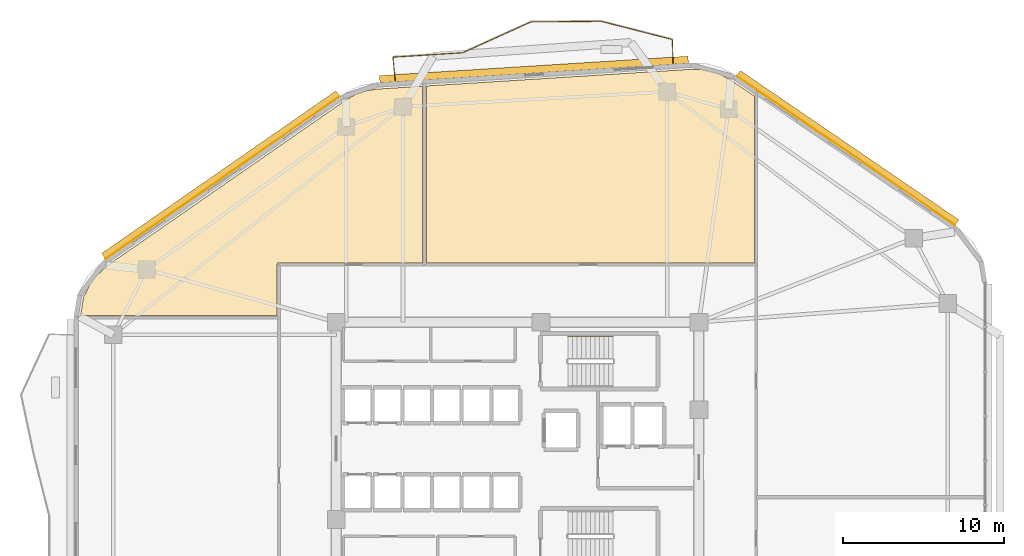
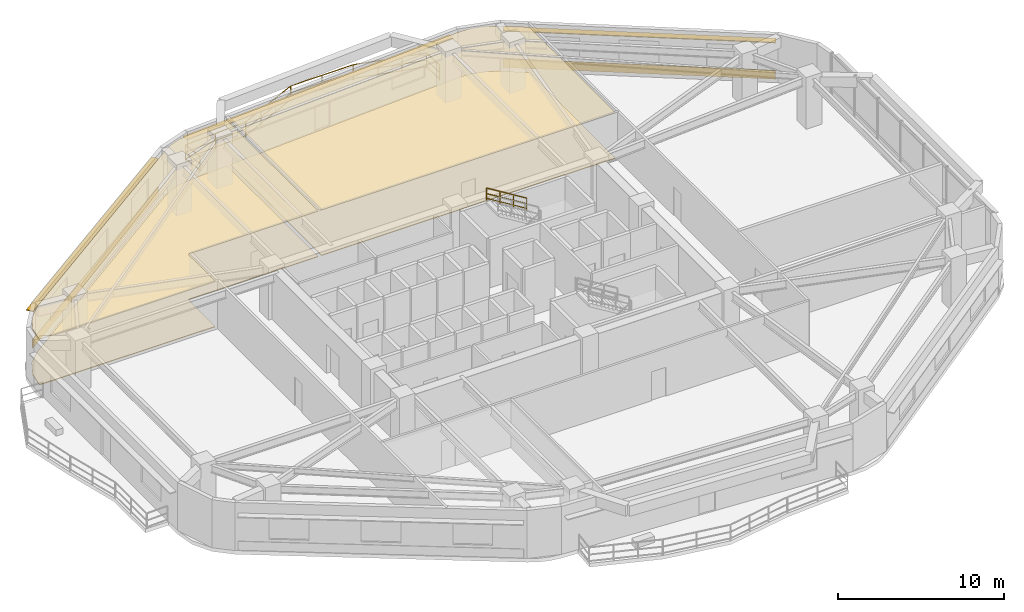
# One storey, part 13 of 13: 7 railings, 6 coverings, 3 shading devices.
"""IFC4 building model written with IfcOpenShell, lengths in metres."""

from ifc_helpers import new_model, si_unit, direction, frame, origin, origin_2d, place, context, subcontext, project, spatial, polyline, rectangle, outline, extrude, material, layer, layer_set, type_object, element, save


model = new_model("IFC4")

# Units and contexts
model_context = context("Model", 3, precision=1e-05, world=origin(), true_north=direction((0.0, 1.0)))
body_context = subcontext(model_context, "Body", "Model", "MODEL_VIEW")
ifc_project = project(units=[si_unit("LENGTHUNIT", "METRE"), si_unit("AREAUNIT", "SQUARE_METRE"), si_unit("VOLUMEUNIT", "CUBIC_METRE"), si_unit("PLANEANGLEUNIT", "RADIAN"), si_unit("MASSUNIT", "GRAM", prefix="KILO")], contexts=[model_context])

# Site, building, storey
site_placement = place(None, origin())
site = spatial("IfcSite", under=ifc_project, at=site_placement, CompositionType="ELEMENT")
building_placement = place(site_placement, origin())
building = spatial("IfcBuilding", under=site, at=building_placement, Name="Zulverin Broadcast Headquarters", CompositionType="ELEMENT")
storey_placement = place(building_placement, frame((0.0, 0.0, 108.60009765625)))
storey = spatial("IfcBuildingStorey", under=building, at=storey_placement, Name="L27", CompositionType="ELEMENT", Elevation=108.60009765625)

# Coverings
ifc_material_1 = material(Name="Perforated pale-metal acoustic baffle ceiling", Category="aluminium")
ifc_layer_1 = layer(ifc_material_1, 0.0400390625, Name="Perforated pale-metal acoustic baffle ceiling", Category="aluminium")
ifc_layer_set_1 = layer_set([ifc_layer_1], Name="Perforated pale-metal acoustic baffle ceiling")
covering_type_1 = type_object("IfcCoveringType", Name="COV-CEIL-ACOU", PredefinedType="CEILING", material=ifc_layer_set_1)
covering_1_placement = place(storey_placement, frame((0.0, 0.0, 3.344970703125)))
element("IfcCovering", 1, at=covering_1_placement, inside=storey, type_object=covering_type_1, Name="L27 Acoustic Baffle Ceiling 01", PredefinedType="CEILING", context=body_context, shape_type="SweptSolid", body=[
    extrude(outline(polyline([(11.4599609375, 36.583984375), (10.56005859375, 35.719970703125), (10.0, 34.639892578125), (9.81591796875, 33.5), (22.031982421875, 33.5), (22.031982421875, 36.652099609375), (22.031982421875, 36.6640625), (22.035888671875, 36.676025390625), (22.035888671875, 36.68798828125), (22.0400390625, 36.696044921875), (22.048095703125, 36.7080078125), (22.052001953125, 36.719970703125), (22.06005859375, 36.72802734375), (22.068115234375, 36.736083984375), (22.075927734375, 36.743896484375), (22.083984375, 36.751953125), (22.095947265625, 36.756103515625), (22.10791015625, 36.763916015625), (22.115966796875, 36.76806640625), (22.1279296875, 36.76806640625), (22.139892578125, 36.77197265625), (22.152099609375, 36.77197265625), (31.080078125, 36.77197265625), (31.080078125, 47.751953125), (28.27587890625, 47.575927734375), (27.575927734375, 47.468017578125), (26.927978515625, 47.243896484375), (26.31591796875, 46.89599609375), (11.4599609375, 36.583984375)])), origin(), (0.0, 0.0, 1.0), 0.0400390625),
])
covering_2_placement = place(storey_placement, frame((0.0, 0.0, 3.344970703125)))
element("IfcCovering", 2, at=covering_2_placement, inside=storey, type_object=covering_type_1, Name="L27 Acoustic Baffle Ceiling 02", PredefinedType="CEILING", context=body_context, shape_type="SweptSolid", body=[
    extrude(outline(polyline([(51.73193359375, 36.77197265625), (51.73193359375, 47.132080078125), (50.248046875, 48.139892578125), (49.491943359375, 48.548095703125), (48.68408203125, 48.76806640625), (47.823974609375, 48.80810546875), (31.320068359375, 47.76806640625), (31.320068359375, 36.77197265625), (51.73193359375, 36.77197265625)])), origin(), (0.0, 0.0, 1.0), 0.0400390625),
])
ifc_material_2 = material(Name="Brushed pale-aluminium rainscreen cladding", Category="aluminium")
ifc_layer_2 = layer(ifc_material_2, 0.0400390625, Name="Brushed pale-aluminium rainscreen cladding", Category="aluminium")
ifc_layer_set_2 = layer_set([ifc_layer_2], Name="Brushed pale-aluminium rainscreen cladding")
covering_type_2 = type_object("IfcCoveringType", Name="COV-CLAD-PALE", PredefinedType="CLADDING", material=ifc_layer_set_2)
covering_3_placement = place(storey_placement, frame((57.418212890625, 43.742431640625, 0.054931640625), z_axis=(0.0, 0.0, 1.0), x_axis=(-0.825756855157, 0.564026254851, 0.0)))
element("IfcCovering", 3, at=covering_3_placement, inside=storey, type_object=covering_type_2, Name="L27 Brushed Pale-Aluminium Spandrel Cladding 4", PredefinedType="CLADDING", context=body_context, shape_type="SweptSolid", body=[
    extrude(rectangle(XDim=16.4482421875, YDim=0.0400390625, at=origin_2d()), origin(), (0.0, 0.0, 1.0), 0.64990234375),
])
covering_4_placement = place(storey_placement, frame((18.648193359375, 42.072021484375, 0.054931640625), z_axis=(0.0, 0.0, 1.0), x_axis=(-0.821556397865, -0.57012725345, 0.0)))
element("IfcCovering", 4, at=covering_4_placement, inside=storey, type_object=covering_type_2, Name="L27 Brushed Pale-Aluminium Spandrel Cladding 6", PredefinedType="CLADDING", context=body_context, shape_type="SweptSolid", body=[
    extrude(rectangle(XDim=17.732421875, YDim=0.0400390625, at=origin_2d()), origin(), (0.0, 0.0, 1.0), 0.64990234375),
])
ifc_material_3 = material(Name="Anti-static broadcast raised access flooring", Category="stone")
ifc_layer_3 = layer(ifc_material_3, 0.050048828125, Name="Anti-static broadcast raised access flooring", Category="stone")
ifc_layer_set_3 = layer_set([ifc_layer_3], Name="Anti-static broadcast raised access flooring")
covering_type_3 = type_object("IfcCoveringType", Name="COV-FLR-RAISED", PredefinedType="FLOORING", material=ifc_layer_set_3)
covering_5_placement = place(storey_placement, origin())
element("IfcCovering", 5, at=covering_5_placement, inside=storey, type_object=covering_type_3, Name="L27 Broadcast Raised Access Flooring 01", PredefinedType="FLOORING", context=body_context, shape_type="SweptSolid", body=[
    extrude(outline(polyline([(11.4599609375, 36.583984375), (10.56005859375, 35.719970703125), (10.0, 34.639892578125), (9.81591796875, 33.5), (22.031982421875, 33.5), (22.031982421875, 36.652099609375), (22.031982421875, 36.6640625), (22.035888671875, 36.676025390625), (22.035888671875, 36.68798828125), (22.0400390625, 36.696044921875), (22.048095703125, 36.7080078125), (22.052001953125, 36.719970703125), (22.06005859375, 36.72802734375), (22.068115234375, 36.736083984375), (22.075927734375, 36.743896484375), (22.083984375, 36.751953125), (22.095947265625, 36.756103515625), (22.10791015625, 36.763916015625), (22.115966796875, 36.76806640625), (22.1279296875, 36.76806640625), (22.139892578125, 36.77197265625), (22.152099609375, 36.77197265625), (31.080078125, 36.77197265625), (31.080078125, 47.751953125), (28.27587890625, 47.575927734375), (27.575927734375, 47.468017578125), (26.927978515625, 47.243896484375), (26.31591796875, 46.89599609375), (11.4599609375, 36.583984375)])), origin(), (0.0, 0.0, 1.0), 0.0498046875),
])
covering_6_placement = place(storey_placement, origin())
element("IfcCovering", 6, at=covering_6_placement, inside=storey, type_object=covering_type_3, Name="L27 Broadcast Raised Access Flooring 02", PredefinedType="FLOORING", context=body_context, shape_type="SweptSolid", body=[
    extrude(outline(polyline([(51.73193359375, 36.77197265625), (51.73193359375, 47.132080078125), (50.248046875, 48.139892578125), (49.491943359375, 48.548095703125), (48.68408203125, 48.76806640625), (47.823974609375, 48.80810546875), (31.320068359375, 47.76806640625), (31.320068359375, 36.77197265625), (51.73193359375, 36.77197265625)])), origin(), (0.0, 0.0, 1.0), 0.0498046875),
])

# Railings
ifc_material_4 = material(Name="Brushed stainless steel & laminated glass balustrade", Category="steel")
railing_type_1 = type_object("IfcRailingType", Name="RL-GUARD-1150", PredefinedType="GUARDRAIL", material=ifc_material_4)
railing_1_placement = place(storey_placement, frame((46.662841796875, 49.176025390625, 0.0)))
element("IfcRailing", 7, at=railing_1_placement, inside=storey, type_object=railing_type_1, Name="L27 Vertical-Forest Balcony Guardrail BAL_N Segment 01", PredefinedType="GUARDRAIL", context=body_context, shape_type="SweptSolid", body=[
    extrude(rectangle(XDim=0.048095703125, YDim=0.048095703125, at=origin_2d()), frame((0.0, 0.0, 1.1259765625), z_axis=(-0.022479328211, 0.999747307975, 0.0), x_axis=(-0.999747307975, -0.022479328211, 0.0)), (0.0, 0.0, 1.0), 1.46630859375),
    extrude(rectangle(XDim=0.0419921875, YDim=0.0419921875, at=origin_2d()), frame((0.0, 0.0, 0.597900390625), z_axis=(-0.022479328211, 0.999747307975, 0.0), x_axis=(-0.999747307975, -0.022479328211, 0.0)), (0.0, 0.0, 1.0), 1.46630859375),
    extrude(rectangle(XDim=0.0419921875, YDim=0.0419921875, at=origin_2d()), frame((0.0, 0.0, 0.1201171875), z_axis=(-0.022479328211, 0.999747307975, 0.0), x_axis=(-0.999747307975, -0.022479328211, 0.0)), (0.0, 0.0, 1.0), 1.46630859375),
    extrude(rectangle(XDim=0.0419921875, YDim=0.0419921875, at=origin_2d()), origin(), (0.0, 0.0, 1.0), 1.101806640625),
    extrude(rectangle(XDim=0.0419921875, YDim=0.0419921875, at=origin_2d()), frame((-0.032958984375, 1.4658203125, 0.0)), (0.0, 0.0, 1.0), 1.101806640625),
])
railing_2_placement = place(storey_placement, frame((46.614990234375, 50.66064453125, 0.0)))
element("IfcRailing", 8, at=railing_2_placement, inside=storey, type_object=railing_type_1, Name="L27 Vertical-Forest Balcony Guardrail BAL_N Segment 02", PredefinedType="GUARDRAIL", context=body_context, shape_type="SweptSolid", body=[
    extrude(rectangle(XDim=0.048095703125, YDim=0.048095703125, at=origin_2d()), frame((0.0, 0.0, 1.1259765625), z_axis=(-0.968834750969, 0.247707943583, 0.0), x_axis=(-0.247707943583, -0.968834750969, 0.0)), (0.0, 0.0, 1.0), 4.550537109375),
    extrude(rectangle(XDim=0.0419921875, YDim=0.0419921875, at=origin_2d()), frame((0.0, 0.0, 0.597900390625), z_axis=(-0.968834750969, 0.247707943583, 0.0), x_axis=(-0.247707943583, -0.968834750969, 0.0)), (0.0, 0.0, 1.0), 4.550537109375),
    extrude(rectangle(XDim=0.0419921875, YDim=0.0419921875, at=origin_2d()), frame((0.0, 0.0, 0.1201171875), z_axis=(-0.968834750969, 0.247707943583, 0.0), x_axis=(-0.247707943583, -0.968834750969, 0.0)), (0.0, 0.0, 1.0), 4.550537109375),
    extrude(rectangle(XDim=0.0419921875, YDim=0.0419921875, at=origin_2d()), origin(), (0.0, 0.0, 1.0), 1.101806640625),
    extrude(rectangle(XDim=0.0419921875, YDim=0.0419921875, at=origin_2d()), frame((-1.469482421875, 0.375732421875, 0.0)), (0.0, 0.0, 1.0), 1.101806640625),
    extrude(rectangle(XDim=0.0419921875, YDim=0.0419921875, at=origin_2d()), frame((-2.939208984375, 0.75146484375, 0.0)), (0.0, 0.0, 1.0), 1.101806640625),
    extrude(rectangle(XDim=0.0419921875, YDim=0.0419921875, at=origin_2d()), frame((-4.40869140625, 1.127197265625, 0.0)), (0.0, 0.0, 1.0), 1.101806640625),
])
railing_3_placement = place(storey_placement, frame((42.177001953125, 51.79150390625, 0.0)))
element("IfcRailing", 9, at=railing_3_placement, inside=storey, type_object=railing_type_1, Name="L27 Vertical-Forest Balcony Guardrail BAL_N Segment 03", PredefinedType="GUARDRAIL", context=body_context, shape_type="SweptSolid", body=[
    extrude(rectangle(XDim=0.048095703125, YDim=0.048095703125, at=origin_2d()), frame((0.0, 0.0, 1.1259765625), z_axis=(-0.999965244372, -0.00833726867, 0.0), x_axis=(0.00833726867, -0.999965244372, 0.0)), (0.0, 0.0, 1.0), 4.333984375),
    extrude(rectangle(XDim=0.0419921875, YDim=0.0419921875, at=origin_2d()), frame((0.0, 0.0, 0.597900390625), z_axis=(-0.999965244372, -0.00833726867, 0.0), x_axis=(0.00833726867, -0.999965244372, 0.0)), (0.0, 0.0, 1.0), 4.333984375),
    extrude(rectangle(XDim=0.0419921875, YDim=0.0419921875, at=origin_2d()), frame((0.0, 0.0, 0.1201171875), z_axis=(-0.999965244372, -0.00833726867, 0.0), x_axis=(0.00833726867, -0.999965244372, 0.0)), (0.0, 0.0, 1.0), 4.333984375),
    extrude(rectangle(XDim=0.0419921875, YDim=0.0419921875, at=origin_2d()), origin(), (0.0, 0.0, 1.0), 1.101806640625),
    extrude(rectangle(XDim=0.0419921875, YDim=0.0419921875, at=origin_2d()), frame((-2.1669921875, -0.01806640625, 0.0)), (0.0, 0.0, 1.0), 1.101806640625),
    extrude(rectangle(XDim=0.0419921875, YDim=0.0419921875, at=origin_2d()), frame((-4.333740234375, -0.0361328125, 0.0)), (0.0, 0.0, 1.0), 1.101806640625),
])
railing_4_placement = place(storey_placement, frame((37.814453125, 51.7490234375, 0.0)))
element("IfcRailing", 10, at=railing_4_placement, inside=storey, type_object=railing_type_1, Name="L27 Vertical-Forest Balcony Guardrail BAL_N Segment 04", PredefinedType="GUARDRAIL", context=body_context, shape_type="SweptSolid", body=[
    extrude(rectangle(XDim=0.048095703125, YDim=0.048095703125, at=origin_2d()), frame((0.0, 0.0, 1.1259765625), z_axis=(-0.911046141087, -0.412304412794, 0.0), x_axis=(0.412304412794, -0.911046141087, 0.0)), (0.0, 0.0, 1.0), 4.62939453125),
    extrude(rectangle(XDim=0.0419921875, YDim=0.0419921875, at=origin_2d()), frame((0.0, 0.0, 0.597900390625), z_axis=(-0.911046141087, -0.412304412794, 0.0), x_axis=(0.412304412794, -0.911046141087, 0.0)), (0.0, 0.0, 1.0), 4.62939453125),
    extrude(rectangle(XDim=0.0419921875, YDim=0.0419921875, at=origin_2d()), frame((0.0, 0.0, 0.1201171875), z_axis=(-0.911046141087, -0.412304412794, 0.0), x_axis=(0.412304412794, -0.911046141087, 0.0)), (0.0, 0.0, 1.0), 4.62939453125),
    extrude(rectangle(XDim=0.0419921875, YDim=0.0419921875, at=origin_2d()), origin(), (0.0, 0.0, 1.0), 1.101806640625),
    extrude(rectangle(XDim=0.0419921875, YDim=0.0419921875, at=origin_2d()), frame((-1.40576171875, -0.63623046875, 0.0)), (0.0, 0.0, 1.0), 1.101806640625),
    extrude(rectangle(XDim=0.0419921875, YDim=0.0419921875, at=origin_2d()), frame((-2.811767578125, -1.2724609375, 0.0)), (0.0, 0.0, 1.0), 1.101806640625),
    extrude(rectangle(XDim=0.0419921875, YDim=0.0419921875, at=origin_2d()), frame((-4.217529296875, -1.90869140625, 0.0)), (0.0, 0.0, 1.0), 1.101806640625),
])
railing_5_placement = place(storey_placement, frame((33.568359375, 49.833251953125, 0.0)))
element("IfcRailing", 11, at=railing_5_placement, inside=storey, type_object=railing_type_1, Name="L27 Vertical-Forest Balcony Guardrail BAL_N Segment 05", PredefinedType="GUARDRAIL", context=body_context, shape_type="SweptSolid", body=[
    extrude(rectangle(XDim=0.048095703125, YDim=0.048095703125, at=origin_2d()), frame((0.0, 0.0, 1.1259765625), z_axis=(-0.998015967654, -0.062961323906, 0.0), x_axis=(0.062961323906, -0.998015967654, 0.0)), (0.0, 0.0, 1.0), 4.327392578125),
    extrude(rectangle(XDim=0.0419921875, YDim=0.0419921875, at=origin_2d()), frame((0.0, 0.0, 0.597900390625), z_axis=(-0.998015967654, -0.062961323906, 0.0), x_axis=(0.062961323906, -0.998015967654, 0.0)), (0.0, 0.0, 1.0), 4.327392578125),
    extrude(rectangle(XDim=0.0419921875, YDim=0.0419921875, at=origin_2d()), frame((0.0, 0.0, 0.1201171875), z_axis=(-0.998015967654, -0.062961323906, 0.0), x_axis=(0.062961323906, -0.998015967654, 0.0)), (0.0, 0.0, 1.0), 4.327392578125),
    extrude(rectangle(XDim=0.0419921875, YDim=0.0419921875, at=origin_2d()), origin(), (0.0, 0.0, 1.0), 1.101806640625),
    extrude(rectangle(XDim=0.0419921875, YDim=0.0419921875, at=origin_2d()), frame((-2.159423828125, -0.13623046875, 0.0)), (0.0, 0.0, 1.0), 1.101806640625),
    extrude(rectangle(XDim=0.0419921875, YDim=0.0419921875, at=origin_2d()), frame((-4.31884765625, -0.2724609375, 0.0)), (0.0, 0.0, 1.0), 1.101806640625),
])
railing_6_placement = place(storey_placement, frame((29.236083984375, 49.545166015625, 0.0)))
element("IfcRailing", 12, at=railing_6_placement, inside=storey, type_object=railing_type_1, Name="L27 Vertical-Forest Balcony Guardrail BAL_N Segment 06", PredefinedType="GUARDRAIL", context=body_context, shape_type="SweptSolid", body=[
    extrude(rectangle(XDim=0.048095703125, YDim=0.048095703125, at=origin_2d()), frame((0.0, 0.0, 1.1259765625), z_axis=(0.103393334431, -0.994640547331, 0.0), x_axis=(0.994640547331, 0.103393334431, 0.0)), (0.0, 0.0, 1.0), 1.46630859375),
    extrude(rectangle(XDim=0.0419921875, YDim=0.0419921875, at=origin_2d()), frame((0.0, 0.0, 0.597900390625), z_axis=(0.103393334431, -0.994640547331, 0.0), x_axis=(0.994640547331, 0.103393334431, 0.0)), (0.0, 0.0, 1.0), 1.46630859375),
    extrude(rectangle(XDim=0.0419921875, YDim=0.0419921875, at=origin_2d()), frame((0.0, 0.0, 0.1201171875), z_axis=(0.103393334431, -0.994640547331, 0.0), x_axis=(0.994640547331, 0.103393334431, 0.0)), (0.0, 0.0, 1.0), 1.46630859375),
    extrude(rectangle(XDim=0.0419921875, YDim=0.0419921875, at=origin_2d()), origin(), (0.0, 0.0, 1.0), 1.101806640625),
    extrude(rectangle(XDim=0.0419921875, YDim=0.0419921875, at=origin_2d()), frame((0.151611328125, -1.45849609375, 0.0)), (0.0, 0.0, 1.0), 1.101806640625),
])
ifc_material_5 = material(Name="Brushed stainless steel 48 mm handrail", Category="steel")
railing_type_2 = type_object("IfcRailingType", Name="RL-ST-HAND", PredefinedType="HANDRAIL", material=ifc_material_5)
railing_7_placement = place(storey_placement, frame((42.929931640625, 32.199951171875, 2.072509765625)))
element("IfcRailing", 13, at=railing_7_placement, inside=storey, type_object=railing_type_2, Name="L27 ST-1 stair handrail 2", PredefinedType="HANDRAIL", context=body_context, shape_type="SweptSolid", body=[
    extrude(rectangle(XDim=0.048095703125, YDim=0.048095703125, at=origin_2d()), frame((0.0, 0.0, 0.8759765625), z_axis=(-0.851089632645, 0.0, 0.525020415988), x_axis=(0.0, -1.0, 0.0)), (0.0, 0.0, 1.0), 3.2900390625),
    extrude(rectangle(XDim=0.0419921875, YDim=0.0419921875, at=origin_2d()), frame((0.0, 0.0, 0.468017578125), z_axis=(-0.851089632645, 0.0, 0.525020415988), x_axis=(0.0, -1.0, 0.0)), (0.0, 0.0, 1.0), 3.2900390625),
    extrude(rectangle(XDim=0.0419921875, YDim=0.0419921875, at=origin_2d()), frame((0.0, 0.0, 0.1201171875), z_axis=(-0.851089632645, 0.0, 0.525020415988), x_axis=(0.0, -1.0, 0.0)), (0.0, 0.0, 1.0), 3.2900390625),
    extrude(rectangle(XDim=0.0419921875, YDim=0.0419921875, at=origin_2d()), origin(), (0.0, 0.0, 1.0), 0.851806640625),
    extrude(rectangle(XDim=0.0419921875, YDim=0.0419921875, at=origin_2d()), frame((-0.933349609375, 0.0, 0.57568359375)), (0.0, 0.0, 1.0), 0.851806640625),
    extrude(rectangle(XDim=0.0419921875, YDim=0.0419921875, at=origin_2d()), frame((-1.86669921875, 0.0, 1.151611328125)), (0.0, 0.0, 1.0), 0.851806640625),
    extrude(rectangle(XDim=0.0419921875, YDim=0.0419921875, at=origin_2d()), frame((-2.800048828125, 0.0, 1.727294921875)), (0.0, 0.0, 1.0), 0.851806640625),
])

# Shading devices
ifc_material_6 = material(Name="Anodized pale-metal aluminium sunshade", Category="aluminium")
ifc_layer_4 = layer(ifc_material_6, 0.06005859375, Name="Anodized pale-metal aluminium sunshade", Category="aluminium")
ifc_layer_set_4 = layer_set([ifc_layer_4], Name="Anodized pale-metal aluminium sunshade")
shading_device_type = type_object("IfcShadingDeviceType", Name="SS-01_PALE_METAL_ALUMINIUM_SUNSHADE", PredefinedType="USERDEFINED", material=ifc_layer_set_4)
shading_device_1_placement = place(storey_placement, frame((57.525390625, 43.8994140625, 2.7099609375), z_axis=(0.0, 0.0, 1.0), x_axis=(-0.825756855157, 0.564026254851, 0.0)))
element("IfcShadingDevice", 14, at=shading_device_1_placement, inside=storey, type_object=shading_device_type, Name="L27 Horizontal Pale-Metal Sunshade Band 4", ObjectType="SUNSHADE", PredefinedType="USERDEFINED", context=body_context, shape_type="SweptSolid", body=[
    extrude(rectangle(XDim=16.4482421875, YDim=0.449951171875, at=origin_2d()), origin(), (0.0, 0.0, 1.0), 0.06005859375),
])
shading_device_2_placement = place(storey_placement, frame((38.01513671875, 48.791015625, 2.7099609375), z_axis=(0.0, 0.0, 1.0), x_axis=(-0.998017621976, -0.062935095345, 0.0)))
element("IfcShadingDevice", 15, at=shading_device_2_placement, inside=storey, type_object=shading_device_type, Name="L27 Horizontal Pale-Metal Sunshade Band 5", ObjectType="SUNSHADE", PredefinedType="USERDEFINED", context=body_context, shape_type="SweptSolid", body=[
    extrude(rectangle(XDim=19.2294921875, YDim=0.449951171875, at=origin_2d()), origin(), (0.0, 0.0, 1.0), 0.06005859375),
])
shading_device_3_placement = place(storey_placement, frame((18.539794921875, 42.22802734375, 2.7099609375), z_axis=(0.0, 0.0, 1.0), x_axis=(-0.821556397865, -0.57012725345, 0.0)))
element("IfcShadingDevice", 16, at=shading_device_3_placement, inside=storey, type_object=shading_device_type, Name="L27 Horizontal Pale-Metal Sunshade Band 6", ObjectType="SUNSHADE", PredefinedType="USERDEFINED", context=body_context, shape_type="SweptSolid", body=[
    extrude(rectangle(XDim=17.732421875, YDim=0.449951171875, at=origin_2d()), origin(), (0.0, 0.0, 1.0), 0.06005859375),
])

save(model, "model.ifc")
